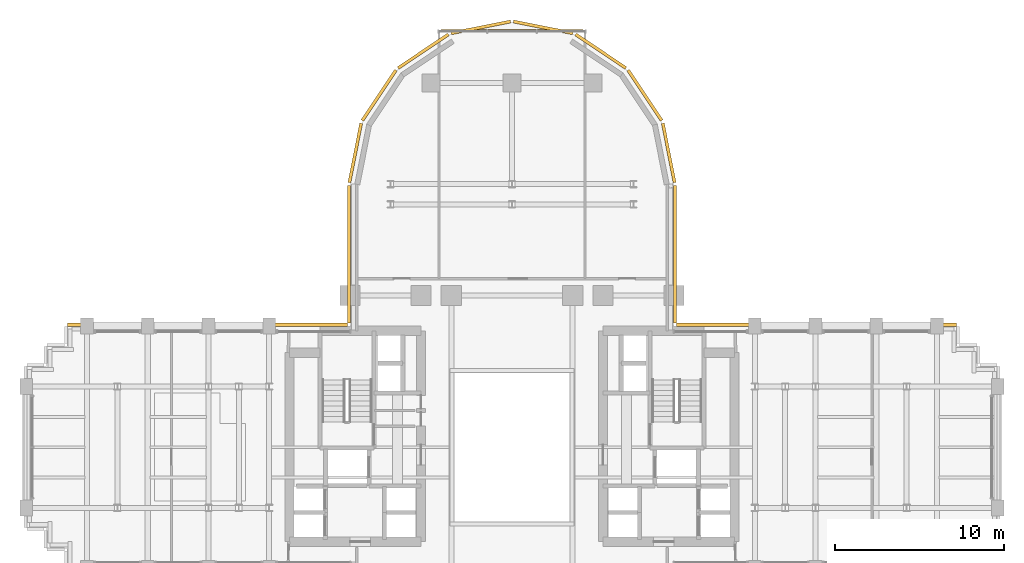
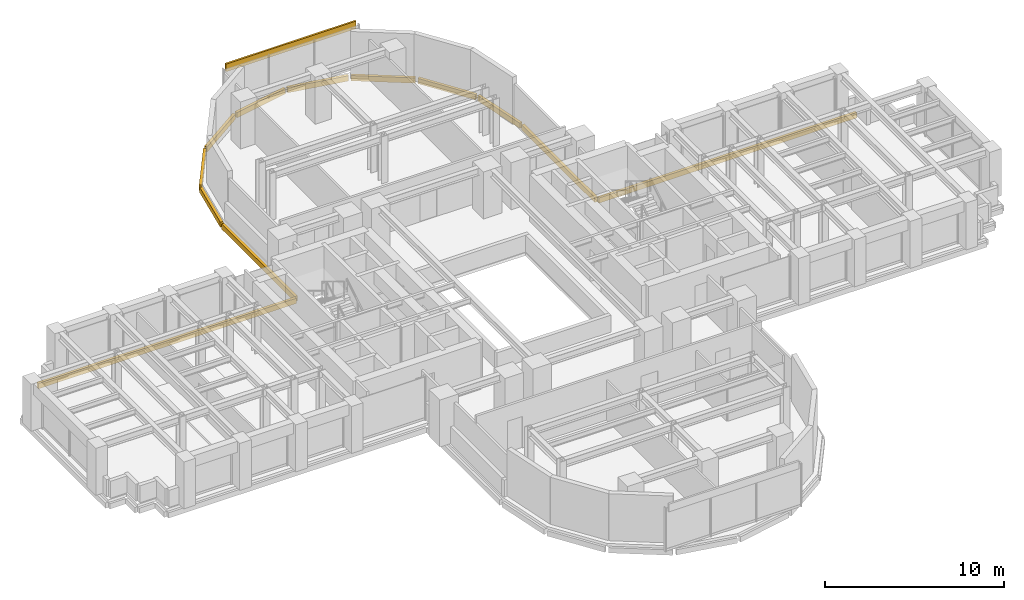
# One storey, part 16 of 16: 13 coverings.
"""IFC4 building model written with IfcOpenShell, lengths in metres."""

from ifc_helpers import new_model, si_unit, direction, frame, origin, origin_2d, place, context, subcontext, project, spatial, rectangle, extrude, source, transform, mapped, material, layer, layer_set, type_object, element, save


model = new_model("IFC4")

# Units and contexts
model_context = context("Model", 3, precision=1e-05, world=origin(), true_north=direction((0.0, 1.0)))
body_context = subcontext(model_context, "Body", "Model", "MODEL_VIEW")
ifc_project = project(units=[si_unit("LENGTHUNIT", "METRE"), si_unit("AREAUNIT", "SQUARE_METRE"), si_unit("VOLUMEUNIT", "CUBIC_METRE"), si_unit("PLANEANGLEUNIT", "RADIAN"), si_unit("MASSUNIT", "GRAM", prefix="KILO")], contexts=[model_context])

# Site, building, storey
site_placement = place(None, origin())
site = spatial("IfcSite", under=ifc_project, at=site_placement, CompositionType="ELEMENT")
building_placement = place(site_placement, origin())
building = spatial("IfcBuilding", under=site, at=building_placement, Name="Keilestroom Media Tower", CompositionType="ELEMENT")
storey_placement = place(building_placement, frame((0.0, 0.0, 81.60009765625)))
storey = spatial("IfcBuildingStorey", under=building, at=storey_placement, Name="L21", CompositionType="ELEMENT", Elevation=81.60009765625)

# Coverings
ifc_material = material(Name="Precast concrete C40/50", Category="concrete")
ifc_layer = layer(ifc_material, 0.1201171875)
ifc_layer_set = layer_set([ifc_layer], Name="Precast concrete C40/50")
covering_type = type_object("IfcCoveringType", Name="Exterior-Precast-Spandrel-Cladding-Panel-120", PredefinedType="CLADDING", material=ifc_layer_set)
shared_shape_1 = source(origin(), body_context, "Body", "SweptSolid", [
    extrude(rectangle(XDim=8.39990234375, YDim=0.1201171875, at=origin_2d()), origin(), (0.0, 0.0, 1.0), 0.52001953125),
])
covering_placement = place(storey_placement, frame((0.0, 24.719970703125, 2.68994140625), z_axis=(0.0, 0.0, 1.0), x_axis=(1.0, 0.0, 0.0)))
element("IfcCovering", 1, at=covering_placement, inside=storey, type_object=covering_type, Name="L21 Precast Spandrel Cladding N", PredefinedType="CLADDING", context=body_context, shape_type="MappedRepresentation", body=[
    mapped(shared_shape_1, transform((0.0, 0.0, 0.0), x_axis=(1.0, 0.0, 0.0), y_axis=(0.0, 1.0, 0.0), z_axis=(0.0, 0.0, 1.0), scale=1.0)),
])
shared_shape_2 = source(origin(), body_context, "Body", "SweptSolid", [
    extrude(rectangle(XDim=16.6201171875, YDim=0.179931640625, at=origin_2d()), origin(), (0.0, 0.0, 1.0), 0.360107421875),
])
for number, where, z_axis, x_axis, name in (
    (2, (-18.06005859375, 7.260009765625, -0.5400390625), (0.0, 0.0, 1.0), (1.0, 0.0, 0.0), "L21 Precast Slab-Edge Fascia Cornice 26"),
    (3, (18.06005859375, 7.260009765625, -0.5400390625), (0.0, 0.0, 1.0), (1.0, 0.0, 0.0), "L21 Precast Slab-Edge Fascia Cornice 37"),
):
    element("IfcCovering", number, at=place(storey_placement, frame(where, z_axis=z_axis, x_axis=x_axis)), inside=storey, type_object=covering_type, Name=name, PredefinedType="CLADDING", context=body_context, shape_type="MappedRepresentation", body=[
        mapped(shared_shape_2, transform((0.0, 0.0, 0.0), x_axis=(1.0, 0.0, 0.0), y_axis=(0.0, 1.0, 0.0), z_axis=(0.0, 0.0, 1.0), scale=1.0)),
    ])
shared_shape_3 = source(origin(), body_context, "Body", "SweptSolid", [
    extrude(rectangle(XDim=8.166015625, YDim=0.179931640625, at=origin_2d()), origin(), (0.0, 0.0, 1.0), 0.360107421875),
])
for number, where, z_axis, x_axis, name in (
    (4, (-9.659912109375, 11.43310546875, -0.5400390625), (0.0, 0.0, 1.0), (0.0, 1.0, 0.0), "L21 Precast Slab-Edge Fascia Cornice 27"),
    (5, (9.659912109375, 11.43310546875, -0.5400390625), (0.0, 0.0, 1.0), (0.0, -1.0, 0.0), "L21 Precast Slab-Edge Fascia Cornice 36"),
):
    element("IfcCovering", number, at=place(storey_placement, frame(where, z_axis=z_axis, x_axis=x_axis)), inside=storey, type_object=covering_type, Name=name, PredefinedType="CLADDING", context=body_context, shape_type="MappedRepresentation", body=[
        mapped(shared_shape_3, transform((0.0, 0.0, 0.0), x_axis=(1.0, 0.0, 0.0), y_axis=(0.0, 1.0, 0.0), z_axis=(0.0, 0.0, 1.0), scale=1.0)),
    ])
shared_shape_4 = source(origin(), body_context, "Body", "SweptSolid", [
    extrude(rectangle(XDim=3.58349609375, YDim=0.179931640625, at=origin_2d()), origin(), (0.0, 0.0, 1.0), 0.360107421875),
])
for number, where, z_axis, x_axis, name in (
    (6, (-9.29296875, 17.45166015625, -0.5400390625), (0.0, 0.0, 1.0), (0.195098880975, 0.980783577882, 0.0), "L21 Precast Slab-Edge Fascia Cornice 28"),
    (7, (9.29296875, 17.45166015625, -0.5400390625), (0.0, 0.0, 1.0), (0.195098880975, -0.980783577882, 0.0), "L21 Precast Slab-Edge Fascia Cornice 35"),
):
    element("IfcCovering", number, at=place(storey_placement, frame(where, z_axis=z_axis, x_axis=x_axis)), inside=storey, type_object=covering_type, Name=name, PredefinedType="CLADDING", context=body_context, shape_type="MappedRepresentation", body=[
        mapped(shared_shape_4, transform((0.0, 0.0, 0.0), x_axis=(1.0, 0.0, 0.0), y_axis=(0.0, 1.0, 0.0), z_axis=(0.0, 0.0, 1.0), scale=1.0)),
    ])
shared_shape_5 = source(origin(), body_context, "Body", "SweptSolid", [
    extrude(rectangle(XDim=3.589599609375, YDim=0.179931640625, at=origin_2d()), origin(), (0.0, 0.0, 1.0), 0.360107421875),
])
for number, where, z_axis, x_axis, name in (
    (8, (-7.878662109375, 20.8642578125, -0.5400390625), (0.0, 0.0, 1.0), (0.555574586577, 0.831466703332, 0.0), "L21 Precast Slab-Edge Fascia Cornice 29"),
    (9, (-5.264404296875, 23.478515625, -0.5400390625), (0.0, 0.0, 1.0), (0.831466703332, 0.555574586577, 0.0), "L21 Precast Slab-Edge Fascia Cornice 30"),
    (10, (-1.8486328125, 24.893310546875, -0.5400390625), (0.0, 0.0, 1.0), (0.980783577882, 0.195098880975, 0.0), "L21 Precast Slab-Edge Fascia Cornice 31"),
    (11, (1.8486328125, 24.893310546875, -0.5400390625), (0.0, 0.0, 1.0), (0.980783577882, -0.195098880975, 0.0), "L21 Precast Slab-Edge Fascia Cornice 32"),
    (12, (5.264404296875, 23.478515625, -0.5400390625), (0.0, 0.0, 1.0), (0.831466703332, -0.555574586577, 0.0), "L21 Precast Slab-Edge Fascia Cornice 33"),
    (13, (7.878662109375, 20.8642578125, -0.5400390625), (0.0, 0.0, 1.0), (0.555574586577, -0.831466703332, 0.0), "L21 Precast Slab-Edge Fascia Cornice 34"),
):
    element("IfcCovering", number, at=place(storey_placement, frame(where, z_axis=z_axis, x_axis=x_axis)), inside=storey, type_object=covering_type, Name=name, PredefinedType="CLADDING", context=body_context, shape_type="MappedRepresentation", body=[
        mapped(shared_shape_5, transform((0.0, 0.0, 0.0), x_axis=(1.0, 0.0, 0.0), y_axis=(0.0, 1.0, 0.0), z_axis=(0.0, 0.0, 1.0), scale=1.0)),
    ])

save(model, "model.ifc")
